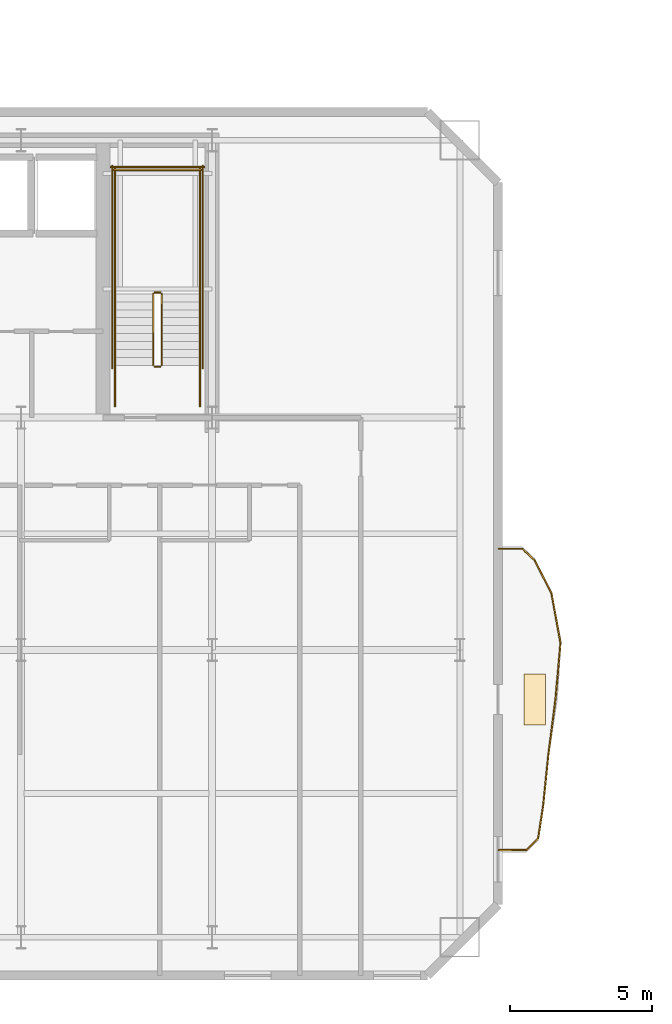
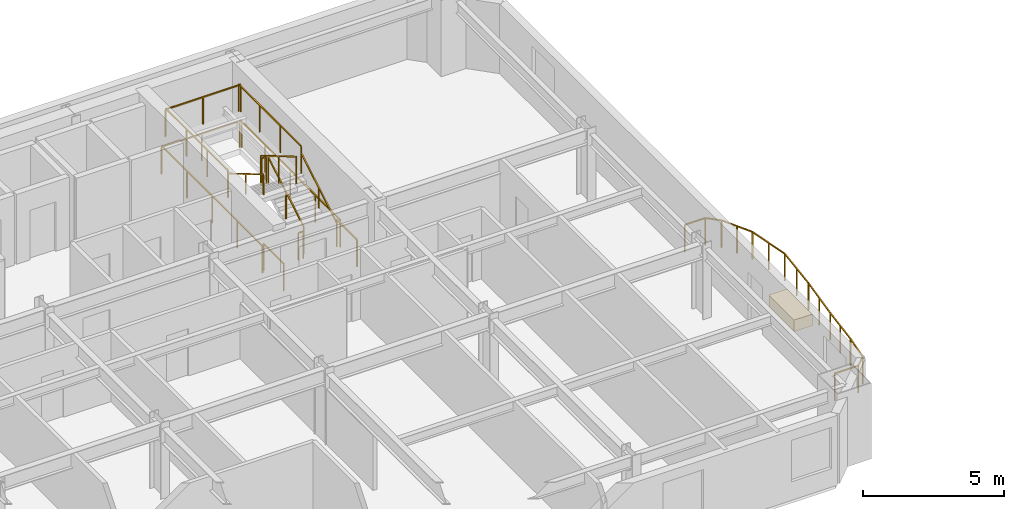
# One storey, part 12 of 14: 24 railings, 1 covering.
"""IFC4 building model written with IfcOpenShell, lengths in metres."""

from ifc_helpers import new_model, si_unit, direction, frame, origin, origin_2d, place, context, subcontext, project, spatial, rectangle, extrude, material, layer, layer_set, type_object, element, save


model = new_model("IFC4")

# Units and contexts
model_context = context("Model", 3, precision=1e-05, world=origin(), true_north=direction((0.0, 1.0)))
body_context = subcontext(model_context, "Body", "Model", "MODEL_VIEW")
ifc_project = project(units=[si_unit("LENGTHUNIT", "METRE"), si_unit("AREAUNIT", "SQUARE_METRE"), si_unit("VOLUMEUNIT", "CUBIC_METRE"), si_unit("PLANEANGLEUNIT", "RADIAN"), si_unit("MASSUNIT", "GRAM", prefix="KILO")], contexts=[model_context])

# Site, building, storey
site_placement = place(None, origin())
site = spatial("IfcSite", under=ifc_project, at=site_placement, CompositionType="ELEMENT")
building_placement = place(site_placement, origin())
building = spatial("IfcBuilding", under=site, at=building_placement, Name="Haevon Station Towers", CompositionType="ELEMENT")
storey_placement = place(building_placement, frame((0.0, 0.0, 106.5)))
storey = spatial("IfcBuildingStorey", under=building, at=storey_placement, Name="L28", CompositionType="ELEMENT", Elevation=106.5)

# Railings
ifc_material_1 = material(Name="Steel S355", Category="steel")
railing_type_1 = type_object("IfcRailingType", Name="GRD-EXT1200", PredefinedType="GUARDRAIL", material=ifc_material_1)
railing_1_placement = place(storey_placement, frame((61.12353515625, 22.927734375, 0.0)))
element("IfcRailing", 1, at=railing_1_placement, inside=storey, type_object=railing_type_1, Name="L28 Perimeter Guardrail 1", PredefinedType="GUARDRAIL", context=body_context, shape_type="SweptSolid", body=[
    extrude(rectangle(XDim=0.048095703125, YDim=0.048095703125, at=origin_2d()), frame((0.0, 0.0, 1.17578125), z_axis=(0.999997457331, 0.002255068182, 0.0), x_axis=(-0.002255068182, 0.999997457331, 0.0)), (0.0, 0.0, 1.0), 0.974365234375),
    extrude(rectangle(XDim=0.0419921875, YDim=0.0419921875, at=origin_2d()), origin(), (0.0, 0.0, 1.0), 1.15185546875),
    extrude(rectangle(XDim=0.0419921875, YDim=0.0419921875, at=origin_2d()), frame((0.974365234375, 0.002197265625, 0.0)), (0.0, 0.0, 1.0), 1.15185546875),
])
railing_2_placement = place(storey_placement, frame((62.097900390625, 22.929931640625, 0.0)))
element("IfcRailing", 2, at=railing_2_placement, inside=storey, type_object=railing_type_1, Name="L28 Perimeter Guardrail 2", PredefinedType="GUARDRAIL", context=body_context, shape_type="SweptSolid", body=[
    extrude(rectangle(XDim=0.048095703125, YDim=0.048095703125, at=origin_2d()), frame((0.0, 0.0, 1.17578125), z_axis=(0.710855721551, 0.703337858456, 0.0), x_axis=(-0.703337858456, 0.710855721551, 0.0)), (0.0, 0.0, 1.0), 0.58447265625),
    extrude(rectangle(XDim=0.0419921875, YDim=0.0419921875, at=origin_2d()), origin(), (0.0, 0.0, 1.0), 1.15185546875),
    extrude(rectangle(XDim=0.0419921875, YDim=0.0419921875, at=origin_2d()), frame((0.41552734375, 0.4111328125, 0.0)), (0.0, 0.0, 1.0), 1.15185546875),
])
railing_3_placement = place(storey_placement, frame((62.513427734375, 23.341064453125, 0.0)))
element("IfcRailing", 3, at=railing_3_placement, inside=storey, type_object=railing_type_1, Name="L28 Perimeter Guardrail 3", PredefinedType="GUARDRAIL", context=body_context, shape_type="SweptSolid", body=[
    extrude(rectangle(XDim=0.048095703125, YDim=0.048095703125, at=origin_2d()), frame((0.0, 0.0, 1.17578125), z_axis=(0.151545873125, 0.988450225524, 0.0), x_axis=(-0.988450225524, 0.151545873125, 0.0)), (0.0, 0.0, 1.0), 1.18408203125),
    extrude(rectangle(XDim=0.0419921875, YDim=0.0419921875, at=origin_2d()), origin(), (0.0, 0.0, 1.0), 1.15185546875),
    extrude(rectangle(XDim=0.0419921875, YDim=0.0419921875, at=origin_2d()), frame((0.179443359375, 1.17041015625, 0.0)), (0.0, 0.0, 1.0), 1.15185546875),
])
railing_4_placement = place(storey_placement, frame((62.69287109375, 24.511474609375, 0.0)))
element("IfcRailing", 4, at=railing_4_placement, inside=storey, type_object=railing_type_1, Name="L28 Perimeter Guardrail 4", PredefinedType="GUARDRAIL", context=body_context, shape_type="SweptSolid", body=[
    extrude(rectangle(XDim=0.048095703125, YDim=0.048095703125, at=origin_2d()), frame((0.0, 0.0, 1.17578125), z_axis=(0.100369612016, 0.994950220355, 0.0), x_axis=(-0.994950220355, 0.100369612016, 0.0)), (0.0, 0.0, 1.0), 1.758544921875),
    extrude(rectangle(XDim=0.0419921875, YDim=0.0419921875, at=origin_2d()), origin(), (0.0, 0.0, 1.0), 1.15185546875),
    extrude(rectangle(XDim=0.0419921875, YDim=0.0419921875, at=origin_2d()), frame((0.08837890625, 0.875, 0.0)), (0.0, 0.0, 1.0), 1.15185546875),
    extrude(rectangle(XDim=0.0419921875, YDim=0.0419921875, at=origin_2d()), frame((0.176513671875, 1.749755859375, 0.0)), (0.0, 0.0, 1.0), 1.15185546875),
])
railing_5_placement = place(storey_placement, frame((62.869384765625, 26.26123046875, 0.0)))
element("IfcRailing", 5, at=railing_5_placement, inside=storey, type_object=railing_type_1, Name="L28 Perimeter Guardrail 5", PredefinedType="GUARDRAIL", context=body_context, shape_type="SweptSolid", body=[
    extrude(rectangle(XDim=0.048095703125, YDim=0.048095703125, at=origin_2d()), frame((0.0, 0.0, 1.17578125), z_axis=(0.127480675673, 0.991841054469, 0.0), x_axis=(-0.991841054469, 0.127480675673, 0.0)), (0.0, 0.0, 1.0), 2.005126953125),
    extrude(rectangle(XDim=0.0419921875, YDim=0.0419921875, at=origin_2d()), origin(), (0.0, 0.0, 1.0), 1.15185546875),
    extrude(rectangle(XDim=0.0419921875, YDim=0.0419921875, at=origin_2d()), frame((0.1279296875, 0.994384765625, 0.0)), (0.0, 0.0, 1.0), 1.15185546875),
    extrude(rectangle(XDim=0.0419921875, YDim=0.0419921875, at=origin_2d()), frame((0.255615234375, 1.98876953125, 0.0)), (0.0, 0.0, 1.0), 1.15185546875),
])
railing_6_placement = place(storey_placement, frame((63.125, 28.25, 0.0)))
element("IfcRailing", 6, at=railing_6_placement, inside=storey, type_object=railing_type_1, Name="L28 Perimeter Guardrail 6", PredefinedType="GUARDRAIL", context=body_context, shape_type="SweptSolid", body=[
    extrude(rectangle(XDim=0.048095703125, YDim=0.048095703125, at=origin_2d()), frame((0.0, 0.0, 1.17578125), z_axis=(0.088918972693, 0.996038862844, 0.0), x_axis=(-0.996038862844, 0.088918972693, 0.0)), (0.0, 0.0, 1.0), 2.00146484375),
    extrude(rectangle(XDim=0.0419921875, YDim=0.0419921875, at=origin_2d()), origin(), (0.0, 0.0, 1.0), 1.15185546875),
    extrude(rectangle(XDim=0.0419921875, YDim=0.0419921875, at=origin_2d()), frame((0.0888671875, 0.996826171875, 0.0)), (0.0, 0.0, 1.0), 1.15185546875),
    extrude(rectangle(XDim=0.0419921875, YDim=0.0419921875, at=origin_2d()), frame((0.177978515625, 1.99365234375, 0.0)), (0.0, 0.0, 1.0), 1.15185546875),
])
railing_7_placement = place(storey_placement, frame((63.302978515625, 30.24365234375, 0.0)))
element("IfcRailing", 7, at=railing_7_placement, inside=storey, type_object=railing_type_1, Name="L28 Perimeter Guardrail 7", PredefinedType="GUARDRAIL", context=body_context, shape_type="SweptSolid", body=[
    extrude(rectangle(XDim=0.048095703125, YDim=0.048095703125, at=origin_2d()), frame((0.0, 0.0, 1.17578125), z_axis=(-0.179418162839, 0.983772902068, 0.0), x_axis=(-0.983772902068, -0.179418162839, 0.0)), (0.0, 0.0, 1.0), 1.7744140625),
    extrude(rectangle(XDim=0.0419921875, YDim=0.0419921875, at=origin_2d()), origin(), (0.0, 0.0, 1.0), 1.15185546875),
    extrude(rectangle(XDim=0.0419921875, YDim=0.0419921875, at=origin_2d()), frame((-0.1591796875, 0.872802734375, 0.0)), (0.0, 0.0, 1.0), 1.15185546875),
    extrude(rectangle(XDim=0.0419921875, YDim=0.0419921875, at=origin_2d()), frame((-0.318359375, 1.74560546875, 0.0)), (0.0, 0.0, 1.0), 1.15185546875),
])
railing_8_placement = place(storey_placement, frame((62.984619140625, 31.9892578125, 0.0)))
element("IfcRailing", 8, at=railing_8_placement, inside=storey, type_object=railing_type_1, Name="L28 Perimeter Guardrail 8", PredefinedType="GUARDRAIL", context=body_context, shape_type="SweptSolid", body=[
    extrude(rectangle(XDim=0.048095703125, YDim=0.048095703125, at=origin_2d()), frame((0.0, 0.0, 1.17578125), z_axis=(-0.452639997868, 0.891693351063, 0.0), x_axis=(-0.891693351063, -0.452639997868, 0.0)), (0.0, 0.0, 1.0), 1.311767578125),
    extrude(rectangle(XDim=0.0419921875, YDim=0.0419921875, at=origin_2d()), origin(), (0.0, 0.0, 1.0), 1.15185546875),
    extrude(rectangle(XDim=0.0419921875, YDim=0.0419921875, at=origin_2d()), frame((-0.296875, 0.5849609375, 0.0)), (0.0, 0.0, 1.0), 1.15185546875),
    extrude(rectangle(XDim=0.0419921875, YDim=0.0419921875, at=origin_2d()), frame((-0.59375, 1.169677734375, 0.0)), (0.0, 0.0, 1.0), 1.15185546875),
])
railing_9_placement = place(storey_placement, frame((62.390869140625, 33.158935546875, 0.0)))
element("IfcRailing", 9, at=railing_9_placement, inside=storey, type_object=railing_type_1, Name="L28 Perimeter Guardrail 9", PredefinedType="GUARDRAIL", context=body_context, shape_type="SweptSolid", body=[
    extrude(rectangle(XDim=0.048095703125, YDim=0.048095703125, at=origin_2d()), frame((0.0, 0.0, 1.17578125), z_axis=(-0.722133455915, 0.69175376533, 0.0), x_axis=(-0.69175376533, -0.722133455915, 0.0)), (0.0, 0.0, 1.0), 0.5947265625),
    extrude(rectangle(XDim=0.0419921875, YDim=0.0419921875, at=origin_2d()), origin(), (0.0, 0.0, 1.0), 1.15185546875),
    extrude(rectangle(XDim=0.0419921875, YDim=0.0419921875, at=origin_2d()), frame((-0.429443359375, 0.411376953125, 0.0)), (0.0, 0.0, 1.0), 1.15185546875),
])
railing_10_placement = place(storey_placement, frame((61.96142578125, 33.5703125, 0.0)))
element("IfcRailing", 10, at=railing_10_placement, inside=storey, type_object=railing_type_1, Name="L28 Perimeter Guardrail 10", PredefinedType="GUARDRAIL", context=body_context, shape_type="SweptSolid", body=[
    extrude(rectangle(XDim=0.048095703125, YDim=0.048095703125, at=origin_2d()), frame((0.0, 0.0, 1.17578125), z_axis=(-0.999997283225, 0.002330995998, 0.0), x_axis=(-0.002330995998, -0.999997283225, 0.0)), (0.0, 0.0, 1.0), 0.837890625),
    extrude(rectangle(XDim=0.0419921875, YDim=0.0419921875, at=origin_2d()), origin(), (0.0, 0.0, 1.0), 1.15185546875),
    extrude(rectangle(XDim=0.0419921875, YDim=0.0419921875, at=origin_2d()), frame((-0.837890625, 0.001953125, 0.0)), (0.0, 0.0, 1.0), 1.15185546875),
])
railing_type_2 = type_object("IfcRailingType", Name="GRD-STR1200", PredefinedType="GUARDRAIL", material=ifc_material_1)
railing_11_placement = place(storey_placement, frame((49.219970703125, 40.050048828125, 0.1650390625)))
element("IfcRailing", 11, at=railing_11_placement, inside=storey, type_object=railing_type_2, Name="L28 ST2 Stair Guard 1", PredefinedType="GUARDRAIL", context=body_context, shape_type="SweptSolid", body=[
    extrude(rectangle(XDim=0.048095703125, YDim=0.048095703125, at=origin_2d()), frame((0.0, 0.0, 1.17578125), z_axis=(0.0, 0.861560626758, 0.507654692109), x_axis=(-1.0, 0.0, 0.0)), (0.0, 0.0, 1.0), 2.925048828125),
    extrude(rectangle(XDim=0.0419921875, YDim=0.0419921875, at=origin_2d()), origin(), (0.0, 0.0, 1.0), 1.15185546875),
    extrude(rectangle(XDim=0.0419921875, YDim=0.0419921875, at=origin_2d()), frame((0.0, 1.260009765625, 0.742431640625)), (0.0, 0.0, 1.0), 1.15185546875),
    extrude(rectangle(XDim=0.0419921875, YDim=0.0419921875, at=origin_2d()), frame((0.0, 2.52001953125, 1.48486328125)), (0.0, 0.0, 1.0), 1.15185546875),
])
railing_12_placement = place(storey_placement, frame((49.169921875, 42.6201171875, 1.64990234375)))
element("IfcRailing", 12, at=railing_12_placement, inside=storey, type_object=railing_type_2, Name="L28 ST2 Stair Guard 2", PredefinedType="GUARDRAIL", context=body_context, shape_type="SweptSolid", body=[
    extrude(rectangle(XDim=0.048095703125, YDim=0.048095703125, at=origin_2d()), frame((0.0, 0.0, 1.17578125), z_axis=(-1.0, 0.0, 0.0), x_axis=(0.0, -1.0, 0.0)), (0.0, 0.0, 1.0), 0.199951171875),
    extrude(rectangle(XDim=0.0419921875, YDim=0.0419921875, at=origin_2d()), origin(), (0.0, 0.0, 1.0), 1.15185546875),
    extrude(rectangle(XDim=0.0419921875, YDim=0.0419921875, at=origin_2d()), frame((-0.199951171875, 0.0, 0.0)), (0.0, 0.0, 1.0), 1.15185546875),
])
for number, where, name in (
    (13, (50.570068359375, 42.570068359375, 1.64990234375), "L28 ST2 Stair Guard 3"),
    (14, (47.570068359375, 42.570068359375, 1.64990234375), "L28 ST2 Stair Guard 4"),
):
    element("IfcRailing", number, at=place(storey_placement, frame(where)), inside=storey, type_object=railing_type_2, Name=name, PredefinedType="GUARDRAIL", context=body_context, shape_type="SweptSolid", body=[
        extrude(rectangle(XDim=0.048095703125, YDim=0.048095703125, at=origin_2d()), frame((0.0, 0.0, 1.17578125), z_axis=(0.0, 1.0, 0.0), x_axis=(-1.0, 0.0, 0.0)), (0.0, 0.0, 1.0), 4.429931640625),
        extrude(rectangle(XDim=0.0419921875, YDim=0.0419921875, at=origin_2d()), origin(), (0.0, 0.0, 1.0), 1.15185546875),
        extrude(rectangle(XDim=0.0419921875, YDim=0.0419921875, at=origin_2d()), frame((0.0, 1.4765625, 0.0)), (0.0, 0.0, 1.0), 1.15185546875),
        extrude(rectangle(XDim=0.0419921875, YDim=0.0419921875, at=origin_2d()), frame((0.0, 2.953369140625, 0.0)), (0.0, 0.0, 1.0), 1.15185546875),
        extrude(rectangle(XDim=0.0419921875, YDim=0.0419921875, at=origin_2d()), frame((0.0, 4.429931640625, 0.0)), (0.0, 0.0, 1.0), 1.15185546875),
    ])
railing_13_placement = place(storey_placement, frame((50.6201171875, 46.949951171875, 1.64990234375)))
element("IfcRailing", 15, at=railing_13_placement, inside=storey, type_object=railing_type_2, Name="L28 ST2 Stair Guard 5", PredefinedType="GUARDRAIL", context=body_context, shape_type="SweptSolid", body=[
    extrude(rectangle(XDim=0.048095703125, YDim=0.048095703125, at=origin_2d()), frame((0.0, 0.0, 1.17578125), z_axis=(-1.0, 0.0, 0.0), x_axis=(0.0, -1.0, 0.0)), (0.0, 0.0, 1.0), 3.10009765625),
    extrude(rectangle(XDim=0.0419921875, YDim=0.0419921875, at=origin_2d()), origin(), (0.0, 0.0, 1.0), 1.15185546875),
    extrude(rectangle(XDim=0.0419921875, YDim=0.0419921875, at=origin_2d()), frame((-1.550048828125, 0.0, 0.0)), (0.0, 0.0, 1.0), 1.15185546875),
    extrude(rectangle(XDim=0.0419921875, YDim=0.0419921875, at=origin_2d()), frame((-3.10009765625, 0.0, 0.0)), (0.0, 0.0, 1.0), 1.15185546875),
])
railing_14_placement = place(storey_placement, frame((48.919921875, 42.570068359375, 1.81494140625)))
element("IfcRailing", 16, at=railing_14_placement, inside=storey, type_object=railing_type_2, Name="L28 ST2 Stair Guard 6", PredefinedType="GUARDRAIL", context=body_context, shape_type="SweptSolid", body=[
    extrude(rectangle(XDim=0.048095703125, YDim=0.048095703125, at=origin_2d()), frame((0.0, 0.0, 1.17578125), z_axis=(0.0, -0.86152411907, 0.507716645641), x_axis=(1.0, 0.0, 0.0)), (0.0, 0.0, 1.0), 2.925048828125),
    extrude(rectangle(XDim=0.0419921875, YDim=0.0419921875, at=origin_2d()), origin(), (0.0, 0.0, 1.0), 1.15185546875),
    extrude(rectangle(XDim=0.0419921875, YDim=0.0419921875, at=origin_2d()), frame((0.0, -1.260009765625, 0.74267578125)), (0.0, 0.0, 1.0), 1.15185546875),
    extrude(rectangle(XDim=0.0419921875, YDim=0.0419921875, at=origin_2d()), frame((0.0, -2.52001953125, 1.485107421875)), (0.0, 0.0, 1.0), 1.15185546875),
])
railing_15_placement = place(storey_placement, frame((49.169921875, 40.0, 0.0)))
element("IfcRailing", 17, at=railing_15_placement, inside=storey, type_object=railing_type_2, Name="L28 ST2 Stair Guard 7", PredefinedType="GUARDRAIL", context=body_context, shape_type="SweptSolid", body=[
    extrude(rectangle(XDim=0.048095703125, YDim=0.048095703125, at=origin_2d()), frame((0.0, 0.0, 1.17578125), z_axis=(-1.0, 0.0, 0.0), x_axis=(0.0, -1.0, 0.0)), (0.0, 0.0, 1.0), 0.199951171875),
    extrude(rectangle(XDim=0.0419921875, YDim=0.0419921875, at=origin_2d()), origin(), (0.0, 0.0, 1.0), 1.15185546875),
    extrude(rectangle(XDim=0.0419921875, YDim=0.0419921875, at=origin_2d()), frame((-0.199951171875, 0.0, 0.0)), (0.0, 0.0, 1.0), 1.15185546875),
])
for number, where, name in (
    (18, (50.570068359375, 38.60009765625, 0.0), "L28 ST2 Stair Guard 8"),
    (19, (47.570068359375, 38.60009765625, 0.0), "L28 ST2 Stair Guard 9"),
):
    element("IfcRailing", number, at=place(storey_placement, frame(where)), inside=storey, type_object=railing_type_2, Name=name, PredefinedType="GUARDRAIL", context=body_context, shape_type="SweptSolid", body=[
        extrude(rectangle(XDim=0.048095703125, YDim=0.048095703125, at=origin_2d()), frame((0.0, 0.0, 1.17578125), z_axis=(0.0, 1.0, 0.0), x_axis=(-1.0, 0.0, 0.0)), (0.0, 0.0, 1.0), 1.449951171875),
        extrude(rectangle(XDim=0.0419921875, YDim=0.0419921875, at=origin_2d()), origin(), (0.0, 0.0, 1.0), 1.15185546875),
        extrude(rectangle(XDim=0.0419921875, YDim=0.0419921875, at=origin_2d()), frame((0.0, 1.449951171875, 0.0)), (0.0, 0.0, 1.0), 1.15185546875),
    ])
for number, where, name in (
    (20, (50.669921875, 39.949951171875, 0.0), "L28 ST2 Stair Guard 10"),
    (21, (47.469970703125, 39.949951171875, 0.0), "L28 ST2 Stair Guard 11"),
):
    element("IfcRailing", number, at=place(storey_placement, frame(where)), inside=storey, type_object=railing_type_2, Name=name, PredefinedType="GUARDRAIL", context=body_context, shape_type="SweptSolid", body=[
        extrude(rectangle(XDim=0.048095703125, YDim=0.048095703125, at=origin_2d()), frame((0.0, 0.0, 1.17578125), z_axis=(0.0, 1.0, 0.0), x_axis=(-1.0, 0.0, 0.0)), (0.0, 0.0, 1.0), 7.150146484375),
        extrude(rectangle(XDim=0.0419921875, YDim=0.0419921875, at=origin_2d()), origin(), (0.0, 0.0, 1.0), 1.15185546875),
        extrude(rectangle(XDim=0.0419921875, YDim=0.0419921875, at=origin_2d()), frame((0.0, 1.78759765625, 0.0)), (0.0, 0.0, 1.0), 1.15185546875),
        extrude(rectangle(XDim=0.0419921875, YDim=0.0419921875, at=origin_2d()), frame((0.0, 3.5751953125, 0.0)), (0.0, 0.0, 1.0), 1.15185546875),
        extrude(rectangle(XDim=0.0419921875, YDim=0.0419921875, at=origin_2d()), frame((0.0, 5.362548828125, 0.0)), (0.0, 0.0, 1.0), 1.15185546875),
        extrude(rectangle(XDim=0.0419921875, YDim=0.0419921875, at=origin_2d()), frame((0.0, 7.150146484375, 0.0)), (0.0, 0.0, 1.0), 1.15185546875),
    ])
railing_16_placement = place(storey_placement, frame((50.719970703125, 47.050048828125, 0.0)))
element("IfcRailing", 22, at=railing_16_placement, inside=storey, type_object=railing_type_2, Name="L28 ST2 Stair Guard 12", PredefinedType="GUARDRAIL", context=body_context, shape_type="SweptSolid", body=[
    extrude(rectangle(XDim=0.048095703125, YDim=0.048095703125, at=origin_2d()), frame((0.0, 0.0, 1.17578125), z_axis=(-1.0, 0.0, 0.0), x_axis=(0.0, -1.0, 0.0)), (0.0, 0.0, 1.0), 3.300048828125),
    extrude(rectangle(XDim=0.0419921875, YDim=0.0419921875, at=origin_2d()), origin(), (0.0, 0.0, 1.0), 1.15185546875),
    extrude(rectangle(XDim=0.0419921875, YDim=0.0419921875, at=origin_2d()), frame((-1.64990234375, 0.0, 0.0)), (0.0, 0.0, 1.0), 1.15185546875),
    extrude(rectangle(XDim=0.0419921875, YDim=0.0419921875, at=origin_2d()), frame((-3.300048828125, 0.0, 0.0)), (0.0, 0.0, 1.0), 1.15185546875),
])
railing_type_3 = type_object("IfcRailingType", Name="HND-STR900", PredefinedType="HANDRAIL", material=ifc_material_1)
railing_17_placement = place(storey_placement, frame((50.570068359375, 40.050048828125, 0.1650390625)))
element("IfcRailing", 23, at=railing_17_placement, inside=storey, type_object=railing_type_3, Name="L28 ST2 Stair Handrail 1", PredefinedType="HANDRAIL", context=body_context, shape_type="SweptSolid", body=[
    extrude(rectangle(XDim=0.048095703125, YDim=0.048095703125, at=origin_2d()), frame((0.0, 0.0, 0.8759765625), z_axis=(0.0, 0.861560626758, 0.507654692109), x_axis=(-1.0, 0.0, 0.0)), (0.0, 0.0, 1.0), 2.925048828125),
    extrude(rectangle(XDim=0.0419921875, YDim=0.0419921875, at=origin_2d()), origin(), (0.0, 0.0, 1.0), 0.851806640625),
    extrude(rectangle(XDim=0.0419921875, YDim=0.0419921875, at=origin_2d()), frame((0.0, 1.260009765625, 0.742431640625)), (0.0, 0.0, 1.0), 0.851806640625),
    extrude(rectangle(XDim=0.0419921875, YDim=0.0419921875, at=origin_2d()), frame((0.0, 2.52001953125, 1.48486328125)), (0.0, 0.0, 1.0), 0.851806640625),
])
railing_18_placement = place(storey_placement, frame((47.570068359375, 42.570068359375, 1.81494140625)))
element("IfcRailing", 24, at=railing_18_placement, inside=storey, type_object=railing_type_3, Name="L28 ST2 Stair Handrail 2", PredefinedType="HANDRAIL", context=body_context, shape_type="SweptSolid", body=[
    extrude(rectangle(XDim=0.048095703125, YDim=0.048095703125, at=origin_2d()), frame((0.0, 0.0, 0.8759765625), z_axis=(0.0, -0.86152411907, 0.507716645641), x_axis=(1.0, 0.0, 0.0)), (0.0, 0.0, 1.0), 2.925048828125),
    extrude(rectangle(XDim=0.0419921875, YDim=0.0419921875, at=origin_2d()), origin(), (0.0, 0.0, 1.0), 0.851806640625),
    extrude(rectangle(XDim=0.0419921875, YDim=0.0419921875, at=origin_2d()), frame((0.0, -1.260009765625, 0.74267578125)), (0.0, 0.0, 1.0), 0.851806640625),
    extrude(rectangle(XDim=0.0419921875, YDim=0.0419921875, at=origin_2d()), frame((0.0, -2.52001953125, 1.485107421875)), (0.0, 0.0, 1.0), 0.851806640625),
])

# Covering
ifc_material_2 = material(Name="Architectural planter GRC", Category="concrete")
ifc_layer = layer(ifc_material_2, 0.550048828125)
ifc_layer_set = layer_set([ifc_layer], Name="Architectural planter GRC")
covering_type = type_object("IfcCoveringType", Name="PLN-GRC550", PredefinedType="MOLDING", material=ifc_layer_set)
covering_placement = place(storey_placement, frame((62.39013671875, 28.25, 0.0), z_axis=(0.0, 0.0, 1.0), x_axis=(1.0, 0.0, 0.0)))
element("IfcCovering", 25, at=covering_placement, inside=storey, type_object=covering_type, Name="Tower 1 L28 Scalloped Balcony PLANTER", PredefinedType="MOLDING", context=body_context, shape_type="SweptSolid", body=[
    extrude(rectangle(XDim=0.75, YDim=1.800048828125, at=origin_2d()), origin(), (0.0, 0.0, 1.0), 0.5),
])

save(model, "model.ifc")
